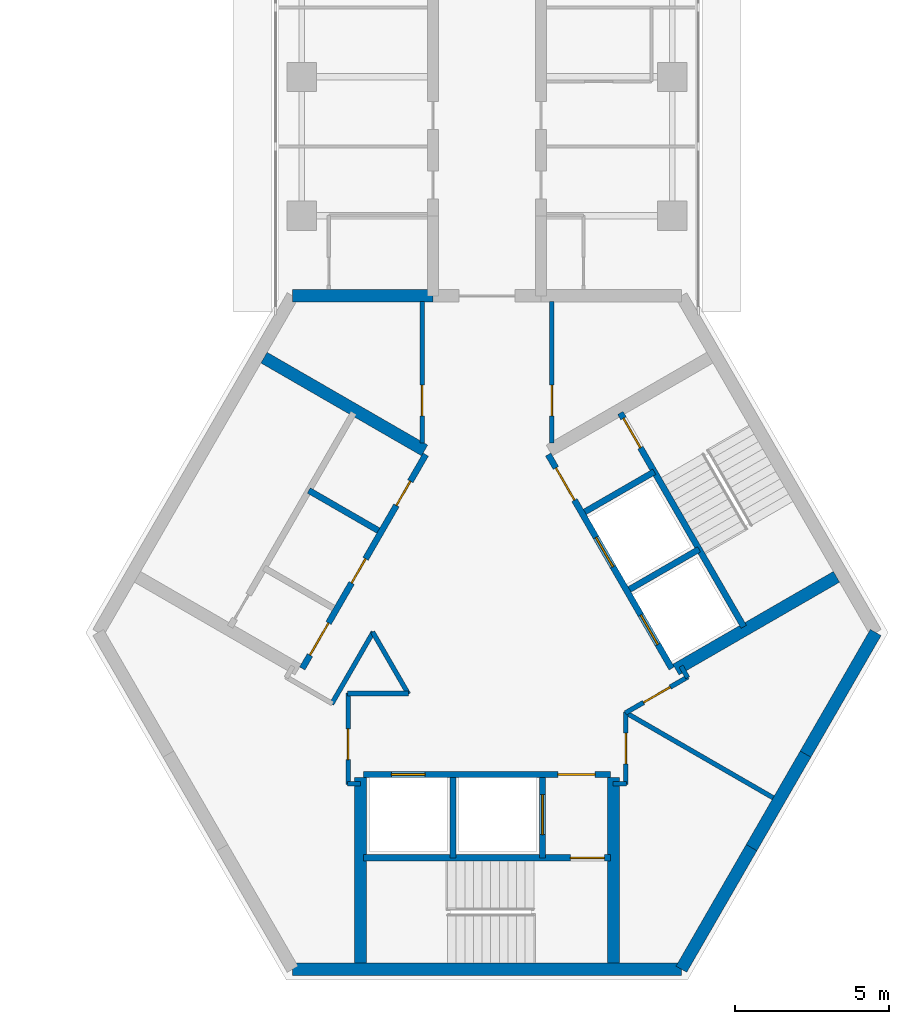
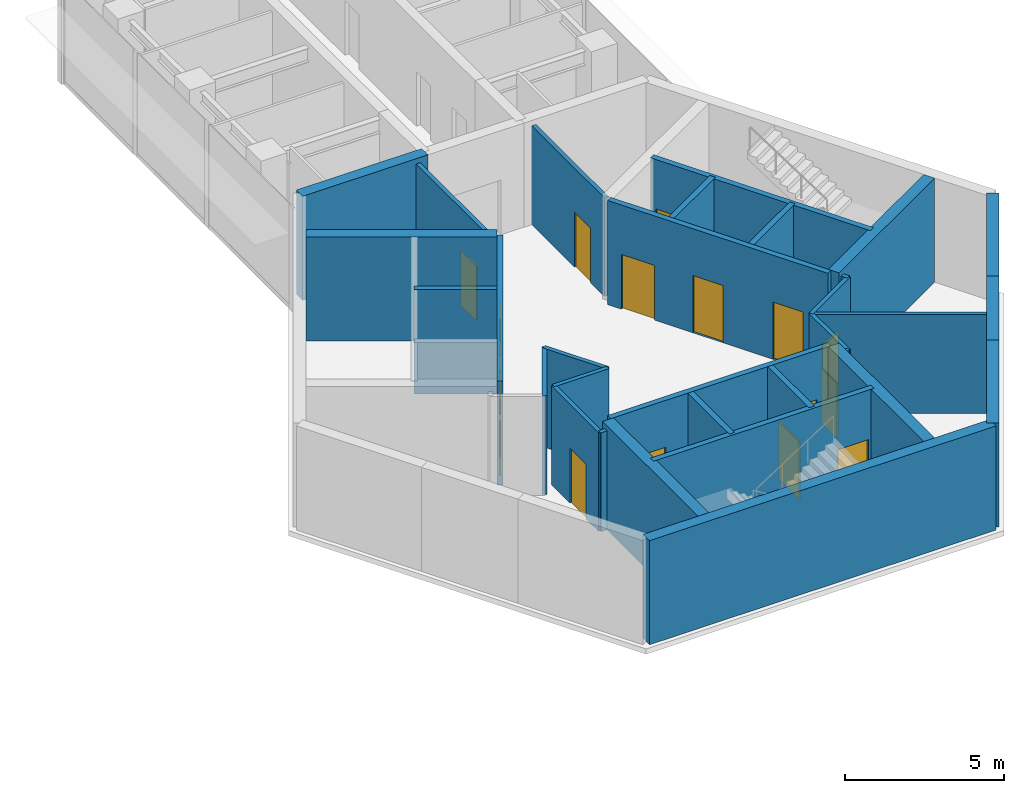
# One storey, part 8 of 11: 31 walls, 16 doors, 16 openings.
"""IFC4 building model written with IfcOpenShell, lengths in metres."""

from ifc_helpers import new_model, si_unit, direction, frame, frame_2d, origin, place, context, subcontext, project, spatial, rectangle, extrude, material, layer, layer_set, type_object, element, fill, save


model = new_model("IFC4")

# Units and contexts
model_context = context("Model", 3, precision=1e-05, world=origin(), true_north=direction((0.0, 1.0)))
body_context = subcontext(model_context, "Body", "Model", "MODEL_VIEW")
ifc_project = project(units=[si_unit("LENGTHUNIT", "METRE"), si_unit("AREAUNIT", "SQUARE_METRE"), si_unit("VOLUMEUNIT", "CUBIC_METRE"), si_unit("PLANEANGLEUNIT", "RADIAN"), si_unit("MASSUNIT", "GRAM", prefix="KILO")], contexts=[model_context])

# Site, building, storey
site_placement = place(None, origin())
site = spatial("IfcSite", under=ifc_project, at=site_placement, CompositionType="ELEMENT")
building_placement = place(site_placement, origin())
building = spatial("IfcBuilding", under=site, at=building_placement, Name="Upepo Twin Towers", CompositionType="ELEMENT")
storey_placement = place(building_placement, frame((0.0, 0.0, 283.5)))
storey = spatial("IfcBuildingStorey", under=building, at=storey_placement, Name="L69", CompositionType="ELEMENT", Elevation=283.5)

# Walls
ifc_material_1 = material(Name="Concrete C60/75", Category="concrete")
ifc_layer_1 = layer(ifc_material_1, 0.39990234375)
ifc_layer_set_1 = layer_set([ifc_layer_1], Name="Concrete C60/75")
wall_type_1 = type_object("IfcWallType", Name="Core wall 400 RC", PredefinedType="SHEAR", material=ifc_layer_set_1)
wall_1_placement = place(storey_placement, frame((56.75, -7.091552734375, 0.0), z_axis=(0.0, 0.0, 1.0), x_axis=(-1.0, 0.0, 0.0)))
element("IfcWall", 1, at=wall_1_placement, inside=storey, type_object=wall_type_1, Name="T2 core wall 000 L", PredefinedType="SHEAR", context=body_context, shape_type="SweptSolid", body=[
    extrude(rectangle(XDim=4.5478515625, YDim=0.39990234375, at=frame_2d((2.27392578125, 0.0))), origin(), (0.0, 0.0, 1.0), 4.0),
])
wall_2_placement = place(storey_placement, frame((52.2021484375, -28.908447265625, 0.0), z_axis=(0.0, 0.0, 1.0), x_axis=(1.0, 0.0, 0.0)))
element("IfcWall", 2, at=wall_2_placement, inside=storey, type_object=wall_type_1, Name="T2 core wall 180", PredefinedType="SHEAR", context=body_context, shape_type="SweptSolid", body=[
    extrude(rectangle(XDim=12.595703125, YDim=0.39990234375, at=frame_2d((6.2978515625, 0.0))), origin(), (0.0, 0.0, 1.0), 4.0),
])
wall_3_placement = place(storey_placement, frame((64.7978515625, -28.908447265625, 0.0), z_axis=(0.0, 0.0, 1.0), x_axis=(0.499984222037, 0.866034513004, 0.0)))
element("IfcWall", 3, at=wall_3_placement, inside=storey, type_object=wall_type_1, Name="T2 core wall 240 R", PredefinedType="SHEAR", context=body_context, shape_type="SweptSolid", body=[
    extrude(rectangle(XDim=4.548095703125, YDim=0.39990234375, at=frame_2d((2.27392578125, 0.0))), origin(), (0.0, 0.0, 1.0), 4.0),
])
wall_4_placement = place(storey_placement, frame((67.07177734375, -24.9697265625, 0.0), z_axis=(0.0, 0.0, 1.0), x_axis=(0.500010275428, 0.866019471182, 0.0)))
element("IfcWall", 4, at=wall_4_placement, inside=storey, type_object=wall_type_1, Name="T2 core wall 240", PredefinedType="SHEAR", context=body_context, shape_type="SweptSolid", body=[
    extrude(rectangle(XDim=3.5, YDim=0.39990234375, at=frame_2d((1.75, 0.0))), origin(), (0.0, 0.0, 1.0), 4.0),
])
wall_5_placement = place(storey_placement, frame((68.82177734375, -21.938720703125, 0.0), z_axis=(0.0, 0.0, 1.0), x_axis=(0.500024481964, 0.866011268655, 0.0)))
element("IfcWall", 5, at=wall_5_placement, inside=storey, type_object=wall_type_1, Name="T2 core wall 240 L", PredefinedType="SHEAR", context=body_context, shape_type="SweptSolid", body=[
    extrude(rectangle(XDim=4.548095703125, YDim=0.39990234375, at=frame_2d((2.27392578125, 0.0))), origin(), (0.0, 0.0, 1.0), 4.0),
])

# Wall, openings, doors
ifc_material_2 = material(Name="Concrete C40/50", Category="concrete")
ifc_layer_2 = layer(ifc_material_2, 0.199951171875)
ifc_layer_set_2 = layer_set([ifc_layer_2], Name="Concrete C40/50")
wall_type_2 = type_object("IfcWallType", Name="Shaft wall 200 RC", PredefinedType="SHEAR", material=ifc_layer_set_2)
wall_6_placement = place(storey_placement, frame((56.516357421875, -12.23583984375, 0.0), z_axis=(0.0, 0.0, 1.0), x_axis=(-0.49999894854, -0.866026010844, 0.0)))
wall_6 = element("IfcWall", 6, at=wall_6_placement, inside=storey, type_object=wall_type_2, Name="T2 core W60 front wall", PredefinedType="SHEAR", context=body_context, shape_type="SweptSolid", body=[
    extrude(rectangle(XDim=8.0, YDim=0.199951171875, at=frame_2d((4.0, 0.0))), origin(), (0.0, 0.0, 1.0), 4.0),
])
opening_1_placement = place(wall_6_placement, frame((6.300048828125, 0.0, 0.0)))
opening_1 = element("IfcOpeningElement", 7, at=opening_1_placement, cuts=wall_6, Name="Opening D4", PredefinedType="OPENING", context=body_context, shape_type="SweptSolid", body=[
    extrude(rectangle(XDim=1.199951171875, YDim=2.10009765625, at=frame_2d((0.60009765625, 1.050048828125))), frame((0.0, 0.10986328125, 0.0), z_axis=(0.0, -1.0, 0.0), x_axis=(1.0, 0.0, 0.0)), (0.0, 0.0, 1.0), 0.219970703125),
])
opening_2_placement = place(wall_6_placement, frame((1.0, 0.0, 0.0)))
opening_2 = element("IfcOpeningElement", 8, at=opening_2_placement, cuts=wall_6, Name="Opening D9", PredefinedType="OPENING", context=body_context, shape_type="SweptSolid", body=[
    extrude(rectangle(XDim=0.89990234375, YDim=2.10009765625, at=frame_2d((0.449951171875, 1.050048828125))), frame((0.0, 0.10986328125, 0.0), z_axis=(0.0, -1.0, 0.0), x_axis=(1.0, 0.0, 0.0)), (0.0, 0.0, 1.0), 0.219970703125),
])
opening_3_placement = place(wall_6_placement, frame((3.89990234375, 0.0, 0.0)))
opening_3 = element("IfcOpeningElement", 9, at=opening_3_placement, cuts=wall_6, Name="Opening D9", PredefinedType="OPENING", context=body_context, shape_type="SweptSolid", body=[
    extrude(rectangle(XDim=0.89990234375, YDim=2.10009765625, at=frame_2d((0.449951171875, 1.050048828125))), frame((0.0, 0.10986328125, 0.0), z_axis=(0.0, -1.0, 0.0), x_axis=(1.0, 0.0, 0.0)), (0.0, 0.0, 1.0), 0.219970703125),
])
ifc_material_3 = material(Name="Timber doorset", Category="wood")
door_type_1 = type_object("IfcDoorType", Name="Lobby door 1200 FD60", OperationType="SINGLE_SWING_LEFT", PredefinedType="DOOR", material=ifc_material_3)
door_1_placement = place(opening_1_placement, origin())
door_1 = element("IfcDoor", 10, at=door_1_placement, inside=storey, type_object=door_type_1, Name="T2 L69 W60 lobby door", OperationType="SINGLE_SWING_RIGHT", OverallHeight=2.10009765625, OverallWidth=1.199951171875, PredefinedType="DOOR", context=body_context, shape_type="SweptSolid", body=[
    extrude(rectangle(XDim=1.199951171875, YDim=2.10009765625, at=frame_2d((0.60009765625, 1.050048828125))), frame((0.0, 0.02490234375, 0.0), z_axis=(0.0, -1.0, 0.0), x_axis=(1.0, 0.0, 0.0)), (0.0, 0.0, 1.0), 0.050048828125),
])
fill(opening_1, door_1)
ifc_material_4 = material(Name="Timber doorset", Category="wood")
door_type_2 = type_object("IfcDoorType", Name="Riser door 900 FD60", OperationType="SINGLE_SWING_LEFT", PredefinedType="DOOR", material=ifc_material_4)
door_2_placement = place(opening_2_placement, origin())
door_2 = element("IfcDoor", 11, at=door_2_placement, inside=storey, type_object=door_type_2, Name="T2 L69 av equipment store door", OperationType="SINGLE_SWING_LEFT", OverallHeight=2.10009765625, OverallWidth=0.89990234375, PredefinedType="DOOR", context=body_context, shape_type="SweptSolid", body=[
    extrude(rectangle(XDim=0.89990234375, YDim=2.10009765625, at=frame_2d((0.449951171875, 1.050048828125))), frame((0.0, 0.02490234375, 0.0), z_axis=(0.0, -1.0, 0.0), x_axis=(1.0, 0.0, 0.0)), (0.0, 0.0, 1.0), 0.050048828125),
])
fill(opening_2, door_2)
door_3_placement = place(opening_3_placement, origin())
door_3 = element("IfcDoor", 12, at=door_3_placement, inside=storey, type_object=door_type_2, Name="T2 L69 furniture store door", OperationType="SINGLE_SWING_RIGHT", OverallHeight=2.10009765625, OverallWidth=0.89990234375, PredefinedType="DOOR", context=body_context, shape_type="SweptSolid", body=[
    extrude(rectangle(XDim=0.89990234375, YDim=2.10009765625, at=frame_2d((0.449951171875, 1.050048828125))), frame((0.0, 0.02490234375, 0.0), z_axis=(0.0, -1.0, 0.0), x_axis=(1.0, 0.0, 0.0)), (0.0, 0.0, 1.0), 0.050048828125),
])
fill(opening_3, door_3)

# Wall
wall_7_placement = place(storey_placement, frame((54.979736328125, -14.697265625, 0.0), z_axis=(0.0, 0.0, 1.0), x_axis=(-0.866062058628, 0.499936506574, 0.0)))
element("IfcWall", 13, at=wall_7_placement, inside=storey, type_object=wall_type_2, Name="T2 core W60 shaft divider", PredefinedType="SHEAR", context=body_context, shape_type="SweptSolid", body=[
    extrude(rectangle(XDim=2.599853515625, YDim=0.199951171875, at=frame_2d((1.2998046875, 0.0))), origin(), (0.0, 0.0, 1.0), 4.0),
])

# Wall, openings, doors
wall_8_placement = place(storey_placement, frame((54.5, -22.60009765625, 0.0), z_axis=(0.0, 0.0, 1.0), x_axis=(1.0, 0.0, 0.0)))
wall_8 = element("IfcWall", 14, at=wall_8_placement, inside=storey, type_object=wall_type_2, Name="T2 core W180 front wall", PredefinedType="SHEAR", context=body_context, shape_type="SweptSolid", body=[
    extrude(rectangle(XDim=8.0, YDim=0.199951171875, at=frame_2d((4.0, 0.0))), origin(), (0.0, 0.0, 1.0), 4.0),
])
opening_4_placement = place(wall_8_placement, frame((6.300048828125, 0.0, 0.0)))
opening_4 = element("IfcOpeningElement", 15, at=opening_4_placement, cuts=wall_8, Name="Opening D4", PredefinedType="OPENING", context=body_context, shape_type="SweptSolid", body=[
    extrude(rectangle(XDim=1.199951171875, YDim=2.10009765625, at=frame_2d((0.60009765625, 1.050048828125))), frame((0.0, 0.10986328125, 0.0), z_axis=(0.0, -1.0, 0.0), x_axis=(1.0, 0.0, 0.0)), (0.0, 0.0, 1.0), 0.219970703125),
])
opening_5_placement = place(wall_8_placement, frame((0.89990234375, 0.0, 0.0)))
opening_5 = element("IfcOpeningElement", 16, at=opening_5_placement, cuts=wall_8, Name="Opening LD1", PredefinedType="OPENING", context=body_context, shape_type="SweptSolid", body=[
    extrude(rectangle(XDim=1.10009765625, YDim=2.199951171875, at=frame_2d((0.550048828125, 1.10009765625))), frame((0.0, 0.10986328125, 0.0), z_axis=(0.0, -1.0, 0.0), x_axis=(1.0, 0.0, 0.0)), (0.0, 0.0, 1.0), 0.219970703125),
])
ifc_material_5 = material(Name="Steel doorset", Category="steel")
door_type_3 = type_object("IfcDoorType", Name="Lift landing door 1100", OperationType="DOUBLE_DOOR_SLIDING", PredefinedType="DOOR", material=ifc_material_5)
door_4_placement = place(opening_5_placement, origin())
door_4 = element("IfcDoor", 17, at=door_4_placement, inside=storey, type_object=door_type_3, Name="T2 L69 lift SV1 landing door", OperationType="DOUBLE_DOOR_SLIDING", OverallHeight=2.199951171875, OverallWidth=1.10009765625, PredefinedType="DOOR", context=body_context, shape_type="SweptSolid", body=[
    extrude(rectangle(XDim=1.10009765625, YDim=2.199951171875, at=frame_2d((0.550048828125, 1.10009765625))), frame((0.0, 0.02490234375, 0.0), z_axis=(0.0, -1.0, 0.0), x_axis=(1.0, 0.0, 0.0)), (0.0, 0.0, 1.0), 0.050048828125),
])
fill(opening_5, door_4)
door_5_placement = place(opening_4_placement, origin())
door_5 = element("IfcDoor", 18, at=door_5_placement, inside=storey, type_object=door_type_1, Name="T2 L69 W180 lobby door", OperationType="SINGLE_SWING_RIGHT", OverallHeight=2.10009765625, OverallWidth=1.199951171875, PredefinedType="DOOR", context=body_context, shape_type="SweptSolid", body=[
    extrude(rectangle(XDim=1.199951171875, YDim=2.10009765625, at=frame_2d((0.60009765625, 1.050048828125))), frame((0.0, 0.02490234375, 0.0), z_axis=(0.0, -1.0, 0.0), x_axis=(1.0, 0.0, 0.0)), (0.0, 0.0, 1.0), 0.050048828125),
])
fill(opening_4, door_5)

# Wall
wall_9_placement = place(storey_placement, frame((57.39990234375, -22.699951171875, 0.0), z_axis=(0.0, 0.0, 1.0), x_axis=(0.0, -1.0, 0.0)))
element("IfcWall", 19, at=wall_9_placement, inside=storey, type_object=wall_type_2, Name="T2 core W180 shaft divider", PredefinedType="SHEAR", context=body_context, shape_type="SweptSolid", body=[
    extrude(rectangle(XDim=2.60009765625, YDim=0.199951171875, at=frame_2d((1.300048828125, 0.0))), origin(), (0.0, 0.0, 1.0), 4.0),
])

# Wall, opening, door
wall_10_placement = place(storey_placement, frame((60.300048828125, -22.699951171875, 0.0), z_axis=(0.0, 0.0, 1.0), x_axis=(0.0, -1.0, 0.0)))
wall_10 = element("IfcWall", 20, at=wall_10_placement, inside=storey, type_object=wall_type_2, Name="T2 core W180 lobby wall", PredefinedType="SHEAR", context=body_context, shape_type="SweptSolid", body=[
    extrude(rectangle(XDim=2.60009765625, YDim=0.199951171875, at=frame_2d((1.300048828125, 0.0))), origin(), (0.0, 0.0, 1.0), 4.0),
])
opening_6_placement = place(wall_10_placement, frame((0.550048828125, 0.0, 0.0)))
opening_6 = element("IfcOpeningElement", 21, at=opening_6_placement, cuts=wall_10, Name="Opening LD2", PredefinedType="OPENING", context=body_context, shape_type="SweptSolid", body=[
    extrude(rectangle(XDim=1.300048828125, YDim=2.199951171875, at=frame_2d((0.64990234375, 1.10009765625))), frame((0.0, 0.10986328125, 0.0), z_axis=(0.0, -1.0, 0.0), x_axis=(1.0, 0.0, 0.0)), (0.0, 0.0, 1.0), 0.219970703125),
])
ifc_material_6 = material(Name="Steel doorset", Category="steel")
door_type_4 = type_object("IfcDoorType", Name="Firefighting lift landing door 1300", OperationType="DOUBLE_DOOR_SLIDING", PredefinedType="DOOR", material=ifc_material_6)
door_6_placement = place(opening_6_placement, origin())
door_6 = element("IfcDoor", 22, at=door_6_placement, inside=storey, type_object=door_type_4, Name="T2 L69 firefighting lift landing door", OperationType="DOUBLE_DOOR_SLIDING", OverallHeight=2.199951171875, OverallWidth=1.300048828125, PredefinedType="DOOR", context=body_context, shape_type="SweptSolid", body=[
    extrude(rectangle(XDim=1.300048828125, YDim=2.199951171875, at=frame_2d((0.64990234375, 1.10009765625))), frame((0.0, 0.02490234375, 0.0), z_axis=(0.0, -1.0, 0.0), x_axis=(1.0, 0.0, 0.0)), (0.0, 0.0, 1.0), 0.050048828125),
])
fill(opening_6, door_6)

wall_11_placement = place(storey_placement, frame((54.5, -25.300048828125, 0.0), z_axis=(0.0, 0.0, 1.0), x_axis=(1.0, 0.0, 0.0)))
wall_11 = element("IfcWall", 23, at=wall_11_placement, inside=storey, type_object=wall_type_2, Name="T2 core W180 stair wall", PredefinedType="SHEAR", context=body_context, shape_type="SweptSolid", body=[
    extrude(rectangle(XDim=8.0, YDim=0.199951171875, at=frame_2d((4.0, 0.0))), origin(), (0.0, 0.0, 1.0), 4.0),
])
opening_7_placement = place(wall_11_placement, frame((6.699951171875, 0.0, 0.0)))
opening_7 = element("IfcOpeningElement", 24, at=opening_7_placement, cuts=wall_11, Name="Opening D3", PredefinedType="OPENING", context=body_context, shape_type="SweptSolid", body=[
    extrude(rectangle(XDim=1.10009765625, YDim=2.10009765625, at=frame_2d((0.550048828125, 1.050048828125))), frame((0.0, 0.10986328125, 0.0), z_axis=(0.0, -1.0, 0.0), x_axis=(1.0, 0.0, 0.0)), (0.0, 0.0, 1.0), 0.219970703125),
])
ifc_material_7 = material(Name="Timber doorset", Category="wood")
door_type_5 = type_object("IfcDoorType", Name="Stair door 1100 FD60", OperationType="SINGLE_SWING_LEFT", PredefinedType="DOOR", material=ifc_material_7)
door_7_placement = place(opening_7_placement, origin())
door_7 = element("IfcDoor", 25, at=door_7_placement, inside=storey, type_object=door_type_5, Name="T2 L69 stair door", OperationType="SINGLE_SWING_RIGHT", OverallHeight=2.10009765625, OverallWidth=1.10009765625, PredefinedType="DOOR", context=body_context, shape_type="SweptSolid", body=[
    extrude(rectangle(XDim=1.10009765625, YDim=2.10009765625, at=frame_2d((0.550048828125, 1.050048828125))), frame((0.0, 0.02490234375, 0.0), z_axis=(0.0, -1.0, 0.0), x_axis=(1.0, 0.0, 0.0)), (0.0, 0.0, 1.0), 0.050048828125),
])
fill(opening_7, door_7)

# Wall, openings, doors
wall_12_placement = place(storey_placement, frame((64.483642578125, -19.1640625, 0.0), z_axis=(0.0, 0.0, 1.0), x_axis=(-0.49999894854, 0.866026010844, 0.0)))
wall_12 = element("IfcWall", 26, at=wall_12_placement, inside=storey, type_object=wall_type_2, Name="T2 core W300 front wall", PredefinedType="SHEAR", context=body_context, shape_type="SweptSolid", body=[
    extrude(rectangle(XDim=8.0, YDim=0.199951171875, at=frame_2d((4.0, 0.0))), origin(), (0.0, 0.0, 1.0), 4.0),
])
opening_8_placement = place(wall_12_placement, frame((6.300048828125, 0.0, 0.0)))
opening_8 = element("IfcOpeningElement", 27, at=opening_8_placement, cuts=wall_12, Name="Opening D4", PredefinedType="OPENING", context=body_context, shape_type="SweptSolid", body=[
    extrude(rectangle(XDim=1.199951171875, YDim=2.10009765625, at=frame_2d((0.60009765625, 1.050048828125))), frame((0.0, 0.10986328125, 0.0), z_axis=(0.0, -1.0, 0.0), x_axis=(1.0, 0.0, 0.0)), (0.0, 0.0, 1.0), 0.219970703125),
])
opening_9_placement = place(wall_12_placement, frame((0.89990234375, 0.0, 0.0)))
opening_9 = element("IfcOpeningElement", 28, at=opening_9_placement, cuts=wall_12, Name="Opening LD1", PredefinedType="OPENING", context=body_context, shape_type="SweptSolid", body=[
    extrude(rectangle(XDim=1.10009765625, YDim=2.199951171875, at=frame_2d((0.550048828125, 1.10009765625))), frame((0.0, 0.10986328125, 0.0), z_axis=(0.0, -1.0, 0.0), x_axis=(1.0, 0.0, 0.0)), (0.0, 0.0, 1.0), 0.219970703125),
])
opening_10_placement = place(wall_12_placement, frame((3.800048828125, 0.0, 0.0)))
opening_10 = element("IfcOpeningElement", 29, at=opening_10_placement, cuts=wall_12, Name="Opening LD1", PredefinedType="OPENING", context=body_context, shape_type="SweptSolid", body=[
    extrude(rectangle(XDim=1.10009765625, YDim=2.199951171875, at=frame_2d((0.550048828125, 1.10009765625))), frame((0.0, 0.10986328125, 0.0), z_axis=(0.0, -1.0, 0.0), x_axis=(1.0, 0.0, 0.0)), (0.0, 0.0, 1.0), 0.219970703125),
])
door_8_placement = place(opening_9_placement, origin())
door_8 = element("IfcDoor", 30, at=door_8_placement, inside=storey, type_object=door_type_3, Name="T2 L69 lift TL1 landing door", OperationType="DOUBLE_DOOR_SLIDING", OverallHeight=2.199951171875, OverallWidth=1.10009765625, PredefinedType="DOOR", context=body_context, shape_type="SweptSolid", body=[
    extrude(rectangle(XDim=1.10009765625, YDim=2.199951171875, at=frame_2d((0.550048828125, 1.10009765625))), frame((0.0, 0.02490234375, 0.0), z_axis=(0.0, -1.0, 0.0), x_axis=(1.0, 0.0, 0.0)), (0.0, 0.0, 1.0), 0.050048828125),
])
fill(opening_9, door_8)
door_9_placement = place(opening_10_placement, origin())
door_9 = element("IfcDoor", 31, at=door_9_placement, inside=storey, type_object=door_type_3, Name="T2 L69 lift TL2 landing door", OperationType="DOUBLE_DOOR_SLIDING", OverallHeight=2.199951171875, OverallWidth=1.10009765625, PredefinedType="DOOR", context=body_context, shape_type="SweptSolid", body=[
    extrude(rectangle(XDim=1.10009765625, YDim=2.199951171875, at=frame_2d((0.550048828125, 1.10009765625))), frame((0.0, 0.02490234375, 0.0), z_axis=(0.0, -1.0, 0.0), x_axis=(1.0, 0.0, 0.0)), (0.0, 0.0, 1.0), 0.050048828125),
])
fill(opening_10, door_9)
door_10_placement = place(opening_8_placement, origin())
door_10 = element("IfcDoor", 32, at=door_10_placement, inside=storey, type_object=door_type_1, Name="T2 L69 W300 lobby door", OperationType="SINGLE_SWING_RIGHT", OverallHeight=2.10009765625, OverallWidth=1.199951171875, PredefinedType="DOOR", context=body_context, shape_type="SweptSolid", body=[
    extrude(rectangle(XDim=1.199951171875, YDim=2.10009765625, at=frame_2d((0.60009765625, 1.050048828125))), frame((0.0, 0.02490234375, 0.0), z_axis=(0.0, -1.0, 0.0), x_axis=(1.0, 0.0, 0.0)), (0.0, 0.0, 1.0), 0.050048828125),
])
fill(opening_8, door_10)

# Walls
wall_13_placement = place(storey_placement, frame((63.120361328125, -16.6025390625, 0.0), z_axis=(0.0, 0.0, 1.0), x_axis=(0.866062058628, 0.499936506574, 0.0)))
element("IfcWall", 33, at=wall_13_placement, inside=storey, type_object=wall_type_2, Name="T2 core W300 shaft divider", PredefinedType="SHEAR", context=body_context, shape_type="SweptSolid", body=[
    extrude(rectangle(XDim=2.599853515625, YDim=0.199951171875, at=frame_2d((1.2998046875, 0.0))), origin(), (0.0, 0.0, 1.0), 4.0),
])
wall_14_placement = place(storey_placement, frame((61.67041015625, -14.091064453125, 0.0), z_axis=(0.0, 0.0, 1.0), x_axis=(0.86603858612, 0.49997716683, 0.0)))
element("IfcWall", 34, at=wall_14_placement, inside=storey, type_object=wall_type_2, Name="T2 core W300 lobby wall", PredefinedType="SHEAR", context=body_context, shape_type="SweptSolid", body=[
    extrude(rectangle(XDim=2.599609375, YDim=0.199951171875, at=frame_2d((1.2998046875, 0.0))), origin(), (0.0, 0.0, 1.0), 4.0),
])

# Wall, opening, door
wall_15_placement = place(storey_placement, frame((66.822021484375, -17.814208984375, 0.0), z_axis=(0.0, 0.0, 1.0), x_axis=(-0.49999894854, 0.866026010844, 0.0)))
wall_15 = element("IfcWall", 35, at=wall_15_placement, inside=storey, type_object=wall_type_2, Name="T2 core W300 stair wall", PredefinedType="SHEAR", context=body_context, shape_type="SweptSolid", body=[
    extrude(rectangle(XDim=8.0, YDim=0.199951171875, at=frame_2d((4.0, 0.0))), origin(), (0.0, 0.0, 1.0), 4.0),
])
opening_11_placement = place(wall_15_placement, frame((6.699951171875, 0.0, 0.0)))
opening_11 = element("IfcOpeningElement", 36, at=opening_11_placement, cuts=wall_15, Name="Opening D3", PredefinedType="OPENING", context=body_context, shape_type="SweptSolid", body=[
    extrude(rectangle(XDim=1.10009765625, YDim=2.10009765625, at=frame_2d((0.550048828125, 1.050048828125))), frame((0.0, 0.10986328125, 0.0), z_axis=(0.0, -1.0, 0.0), x_axis=(1.0, 0.0, 0.0)), (0.0, 0.0, 1.0), 0.219970703125),
])
door_11_placement = place(opening_11_placement, origin())
door_11 = element("IfcDoor", 37, at=door_11_placement, inside=storey, type_object=door_type_5, Name="T2 L69 stair door", OperationType="SINGLE_SWING_RIGHT", OverallHeight=2.10009765625, OverallWidth=1.10009765625, PredefinedType="DOOR", context=body_context, shape_type="SweptSolid", body=[
    extrude(rectangle(XDim=1.10009765625, YDim=2.10009765625, at=frame_2d((0.550048828125, 1.050048828125))), frame((0.0, 0.02490234375, 0.0), z_axis=(0.0, -1.0, 0.0), x_axis=(1.0, 0.0, 0.0)), (0.0, 0.0, 1.0), 0.050048828125),
])
fill(opening_11, door_11)

# Walls
ifc_material_8 = material(Name="Concrete C40/50", Category="concrete")
ifc_layer_3 = layer(ifc_material_8, 0.39990234375)
ifc_layer_set_3 = layer_set([ifc_layer_3], Name="Concrete C40/50")
wall_type_3 = type_object("IfcWallType", Name="Shaft wall 400 RC", PredefinedType="SHEAR", material=ifc_layer_set_3)
for number, where, z_axis, x_axis, name in (
    (38, (56.479736328125, -12.099365234375, 0.0), (0.0, 0.0, 1.0), (-0.866026570101, 0.499997979876, 0.0), "T2 core W60 side wall S"),
    (39, (62.60009765625, -22.699951171875, 0.0), (0.0, 0.0, 1.0), (0.0, -1.0, 0.0), "T2 core W180 side wall N"),
    (40, (54.39990234375, -22.699951171875, 0.0), (0.0, 0.0, 1.0), (0.0, -1.0, 0.0), "T2 core W180 side wall S"),
    (41, (64.620361328125, -19.20068359375, 0.0), (0.0, 0.0, 1.0), (0.866026570101, 0.499997979876, 0.0), "T2 core W300 side wall S"),
):
    element("IfcWall", number, at=place(storey_placement, frame(where, z_axis=z_axis, x_axis=x_axis)), inside=storey, type_object=wall_type_3, Name=name, PredefinedType="SHEAR", context=body_context, shape_type="SweptSolid", body=[
        extrude(rectangle(XDim=6.00830078125, YDim=0.39990234375, at=frame_2d((3.004150390625, 0.0))), origin(), (0.0, 0.0, 1.0), 4.0),
    ])
ifc_material_9 = material(Name="Gypsum board on steel studs", Category="steel")
ifc_layer_4 = layer(ifc_material_9, 0.14990234375)
ifc_layer_set_4 = layer_set([ifc_layer_4], Name="Teaching partition 150 acoustic")
wall_type_4 = type_object("IfcWallType", Name="Teaching partition 150 acoustic", PredefinedType="PARTITIONING", material=ifc_layer_set_4)
for number, where, z_axis, x_axis, name in (
    (42, (63.02001953125, -22.89990234375, 0.0), (0.0, 0.0, 1.0), (-1.0, 0.0, 0.0), "T2 core room partition 1"),
    (43, (54.409912109375, -22.89990234375, 0.0), (0.0, 0.0, 1.0), (-1.0, 0.0, 0.0), "T2 core room partition 2"),
):
    element("IfcWall", number, at=place(storey_placement, frame(where, z_axis=z_axis, x_axis=x_axis)), inside=storey, type_object=wall_type_4, Name=name, PredefinedType="PARTITIONING", context=body_context, shape_type="SweptSolid", body=[
        extrude(rectangle(XDim=0.429931640625, YDim=0.14990234375, at=frame_2d((0.21484375, 0.0))), origin(), (0.0, 0.0, 1.0), 3.800048828125),
    ])

# Wall, opening, door
wall_16_placement = place(storey_placement, frame((54.0, -22.919921875, 0.0), z_axis=(0.0, 0.0, 1.0), x_axis=(0.0, 1.0, 0.0)))
wall_16 = element("IfcWall", 44, at=wall_16_placement, inside=storey, type_object=wall_type_4, Name="T2 core room partition 3", PredefinedType="PARTITIONING", context=body_context, shape_type="SweptSolid", body=[
    extrude(rectangle(XDim=2.96484375, YDim=0.14990234375, at=frame_2d((1.482421875, 0.0))), origin(), (0.0, 0.0, 1.0), 3.800048828125),
])
opening_12_placement = place(wall_16_placement, frame((0.800048828125, 0.0, 0.0)))
opening_12 = element("IfcOpeningElement", 45, at=opening_12_placement, cuts=wall_16, Name="Opening D1", PredefinedType="OPENING", context=body_context, shape_type="SweptSolid", body=[
    extrude(rectangle(XDim=1.0, YDim=2.10009765625, at=frame_2d((0.5, 1.050048828125))), frame((0.0, 0.0849609375, 0.0), z_axis=(0.0, -1.0, 0.0), x_axis=(1.0, 0.0, 0.0)), (0.0, 0.0, 1.0), 0.169921875),
])
ifc_material_10 = material(Name="Timber doorset", Category="wood")
door_type_6 = type_object("IfcDoorType", Name="Room door 1000 FD30", OperationType="SINGLE_SWING_LEFT", PredefinedType="DOOR", material=ifc_material_10)
door_12_placement = place(opening_12_placement, origin())
door_12 = element("IfcDoor", 46, at=door_12_placement, inside=storey, type_object=door_type_6, Name="T2 L69 core room door K1", OperationType="SINGLE_SWING_LEFT", OverallHeight=2.10009765625, OverallWidth=1.0, PredefinedType="DOOR", context=body_context, shape_type="SweptSolid", body=[
    extrude(rectangle(XDim=1.0, YDim=2.10009765625, at=frame_2d((0.5, 1.050048828125))), frame((0.0, 0.02490234375, 0.0), z_axis=(0.0, -1.0, 0.0), x_axis=(1.0, 0.0, 0.0)), (0.0, 0.0, 1.0), 0.050048828125),
])
fill(opening_12, door_12)

# Walls
wall_17_placement = place(storey_placement, frame((53.97998046875, -19.97509765625, 0.0), z_axis=(0.0, 0.0, 1.0), x_axis=(1.0, 0.0, 0.0)))
element("IfcWall", 47, at=wall_17_placement, inside=storey, type_object=wall_type_4, Name="T2 core room partition 4", PredefinedType="PARTITIONING", context=body_context, shape_type="SweptSolid", body=[
    extrude(rectangle(XDim=1.985107421875, YDim=0.14990234375, at=frame_2d((0.99267578125, 0.0))), origin(), (0.0, 0.0, 1.0), 3.800048828125),
])
wall_18_placement = place(storey_placement, frame((55.955078125, -19.992431640625, 0.0), z_axis=(0.0, 0.0, 1.0), x_axis=(-0.499941024108, 0.866059450854, 0.0)))
element("IfcWall", 48, at=wall_18_placement, inside=storey, type_object=wall_type_4, Name="T2 core room partition 5", PredefinedType="PARTITIONING", context=body_context, shape_type="SweptSolid", body=[
    extrude(rectangle(XDim=2.320556640625, YDim=0.14990234375, at=frame_2d((1.16015625, 0.0))), origin(), (0.0, 0.0, 1.0), 3.800048828125),
])
wall_19_placement = place(storey_placement, frame((54.81494140625, -17.982666015625, 0.0), z_axis=(0.0, 0.0, 1.0), x_axis=(-0.499981473571, -0.866036099759, 0.0)))
element("IfcWall", 49, at=wall_19_placement, inside=storey, type_object=wall_type_4, Name="T2 core room partition 6", PredefinedType="PARTITIONING", context=body_context, shape_type="SweptSolid", body=[
    extrude(rectangle(XDim=2.6923828125, YDim=0.14990234375, at=frame_2d((1.34619140625, 0.0))), origin(), (0.0, 0.0, 1.0), 3.800048828125),
])

# Wall, opening, door
wall_20_placement = place(storey_placement, frame((56.39990234375, -11.857421875, 0.0), z_axis=(0.0, 0.0, 1.0), x_axis=(0.0, 1.0, 0.0)))
wall_20 = element("IfcWall", 50, at=wall_20_placement, inside=storey, type_object=wall_type_4, Name="T2 core room partition 9", PredefinedType="PARTITIONING", context=body_context, shape_type="SweptSolid", body=[
    extrude(rectangle(XDim=4.57568359375, YDim=0.14990234375, at=frame_2d((2.287841796875, 0.0))), origin(), (0.0, 0.0, 1.0), 3.800048828125),
])
opening_13_placement = place(wall_20_placement, frame((0.87255859375, 0.0, 0.0)))
opening_13 = element("IfcOpeningElement", 51, at=opening_13_placement, cuts=wall_20, Name="Opening D1", PredefinedType="OPENING", context=body_context, shape_type="SweptSolid", body=[
    extrude(rectangle(XDim=1.0, YDim=2.10009765625, at=frame_2d((0.5, 1.050048828125))), frame((0.0, 0.0849609375, 0.0), z_axis=(0.0, -1.0, 0.0), x_axis=(1.0, 0.0, 0.0)), (0.0, 0.0, 1.0), 0.169921875),
])
door_13_placement = place(opening_13_placement, origin())
door_13 = element("IfcDoor", 52, at=door_13_placement, inside=storey, type_object=door_type_6, Name="T2 L69 core room door K5", OperationType="SINGLE_SWING_LEFT", OverallHeight=2.10009765625, OverallWidth=1.0, PredefinedType="DOOR", context=body_context, shape_type="SweptSolid", body=[
    extrude(rectangle(XDim=1.0, YDim=2.10009765625, at=frame_2d((0.5, 1.050048828125))), frame((0.0, 0.02490234375, 0.0), z_axis=(0.0, -1.0, 0.0), x_axis=(1.0, 0.0, 0.0)), (0.0, 0.0, 1.0), 0.050048828125),
])
fill(opening_13, door_13)

wall_21_placement = place(storey_placement, frame((60.60009765625, -7.28173828125, 0.0), z_axis=(0.0, 0.0, 1.0), x_axis=(0.0, -1.0, 0.0)))
wall_21 = element("IfcWall", 53, at=wall_21_placement, inside=storey, type_object=wall_type_4, Name="T2 core room partition 10", PredefinedType="PARTITIONING", context=body_context, shape_type="SweptSolid", body=[
    extrude(rectangle(XDim=4.57568359375, YDim=0.14990234375, at=frame_2d((2.287841796875, 0.0))), origin(), (0.0, 0.0, 1.0), 3.800048828125),
])
opening_14_placement = place(wall_21_placement, frame((2.702880859375, 0.0, 0.0)))
opening_14 = element("IfcOpeningElement", 54, at=opening_14_placement, cuts=wall_21, Name="Opening D1", PredefinedType="OPENING", context=body_context, shape_type="SweptSolid", body=[
    extrude(rectangle(XDim=1.0, YDim=2.10009765625, at=frame_2d((0.5, 1.050048828125))), frame((0.0, 0.0849609375, 0.0), z_axis=(0.0, -1.0, 0.0), x_axis=(1.0, 0.0, 0.0)), (0.0, 0.0, 1.0), 0.169921875),
])
door_14_placement = place(opening_14_placement, origin())
door_14 = element("IfcDoor", 55, at=door_14_placement, inside=storey, type_object=door_type_6, Name="T2 L69 core room door K4", OperationType="SINGLE_SWING_RIGHT", OverallHeight=2.10009765625, OverallWidth=1.0, PredefinedType="DOOR", context=body_context, shape_type="SweptSolid", body=[
    extrude(rectangle(XDim=1.0, YDim=2.10009765625, at=frame_2d((0.5, 1.050048828125))), frame((0.0, 0.02490234375, 0.0), z_axis=(0.0, -1.0, 0.0), x_axis=(1.0, 0.0, 0.0)), (0.0, 0.0, 1.0), 0.050048828125),
])
fill(opening_14, door_14)

# Wall
wall_22_placement = place(storey_placement, frame((64.78857421875, -19.092041015625, 0.0), z_axis=(0.0, 0.0, 1.0), x_axis=(0.499804398801, -0.866138304741, 0.0)))
element("IfcWall", 56, at=wall_22_placement, inside=storey, type_object=wall_type_4, Name="T2 core room partition 11", PredefinedType="PARTITIONING", context=body_context, shape_type="SweptSolid", body=[
    extrude(rectangle(XDim=0.429931640625, YDim=0.14990234375, at=frame_2d((0.21484375, 0.0))), origin(), (0.0, 0.0, 1.0), 3.800048828125),
])

# Wall, opening, door
wall_23_placement = place(storey_placement, frame((65.0107421875, -19.43701171875, 0.0), z_axis=(0.0, 0.0, 1.0), x_axis=(-0.865982457891, -0.500074377092, 0.0)))
wall_23 = element("IfcWall", 57, at=wall_23_placement, inside=storey, type_object=wall_type_4, Name="T2 core room partition 12", PredefinedType="PARTITIONING", context=body_context, shape_type="SweptSolid", body=[
    extrude(rectangle(XDim=2.342041015625, YDim=0.14990234375, at=frame_2d((1.1708984375, 0.0))), origin(), (0.0, 0.0, 1.0), 3.800048828125),
])
opening_15_placement = place(wall_23_placement, frame((0.660888671875, 0.0, 0.0)))
opening_15 = element("IfcOpeningElement", 58, at=opening_15_placement, cuts=wall_23, Name="Opening D1", PredefinedType="OPENING", context=body_context, shape_type="SweptSolid", body=[
    extrude(rectangle(XDim=1.0, YDim=2.10009765625, at=frame_2d((0.5, 1.050048828125))), frame((0.0, 0.0849609375, 0.0), z_axis=(0.0, -1.0, 0.0), x_axis=(1.0, 0.0, 0.0)), (0.0, 0.0, 1.0), 0.169921875),
])
door_15_placement = place(opening_15_placement, origin())
door_15 = element("IfcDoor", 59, at=door_15_placement, inside=storey, type_object=door_type_6, Name="T2 L69 core room door K3", OperationType="SINGLE_SWING_LEFT", OverallHeight=2.10009765625, OverallWidth=1.0, PredefinedType="DOOR", context=body_context, shape_type="SweptSolid", body=[
    extrude(rectangle(XDim=1.0, YDim=2.10009765625, at=frame_2d((0.5, 1.050048828125))), frame((0.0, 0.02490234375, 0.0), z_axis=(0.0, -1.0, 0.0), x_axis=(1.0, 0.0, 0.0)), (0.0, 0.0, 1.0), 0.050048828125),
])
fill(opening_15, door_15)

wall_24_placement = place(storey_placement, frame((63.0, -20.578125, 0.0), z_axis=(0.0, 0.0, 1.0), x_axis=(0.0, -1.0, 0.0)))
wall_24 = element("IfcWall", 60, at=wall_24_placement, inside=storey, type_object=wall_type_4, Name="T2 core room partition 13", PredefinedType="PARTITIONING", context=body_context, shape_type="SweptSolid", body=[
    extrude(rectangle(XDim=2.341796875, YDim=0.14990234375, at=frame_2d((1.1708984375, 0.0))), origin(), (0.0, 0.0, 1.0), 3.800048828125),
])
opening_16_placement = place(wall_24_placement, frame((0.68115234375, 0.0, 0.0)))
opening_16 = element("IfcOpeningElement", 61, at=opening_16_placement, cuts=wall_24, Name="Opening D1", PredefinedType="OPENING", context=body_context, shape_type="SweptSolid", body=[
    extrude(rectangle(XDim=1.0, YDim=2.10009765625, at=frame_2d((0.5, 1.050048828125))), frame((0.0, 0.0849609375, 0.0), z_axis=(0.0, -1.0, 0.0), x_axis=(1.0, 0.0, 0.0)), (0.0, 0.0, 1.0), 0.169921875),
])
door_16_placement = place(opening_16_placement, origin())
door_16 = element("IfcDoor", 62, at=door_16_placement, inside=storey, type_object=door_type_6, Name="T2 L69 core room door K2", OperationType="SINGLE_SWING_RIGHT", OverallHeight=2.10009765625, OverallWidth=1.0, PredefinedType="DOOR", context=body_context, shape_type="SweptSolid", body=[
    extrude(rectangle(XDim=1.0, YDim=2.10009765625, at=frame_2d((0.5, 1.050048828125))), frame((0.0, 0.02490234375, 0.0), z_axis=(0.0, -1.0, 0.0), x_axis=(1.0, 0.0, 0.0)), (0.0, 0.0, 1.0), 0.050048828125),
])
fill(opening_16, door_16)

# Wall
wall_25_placement = place(storey_placement, frame((63.074951171875, -20.641357421875, 0.0), z_axis=(0.0, 0.0, 1.0), x_axis=(0.866019232626, -0.500010688608, 0.0)))
element("IfcWall", 63, at=wall_25_placement, inside=storey, type_object=wall_type_4, Name="T2 core room partition 14", PredefinedType="PARTITIONING", context=body_context, shape_type="SweptSolid", body=[
    extrude(rectangle(XDim=5.42578125, YDim=0.14990234375, at=frame_2d((2.712890625, 0.0))), origin(), (0.0, 0.0, 1.0), 3.800048828125),
])

save(model, "model.ifc")
